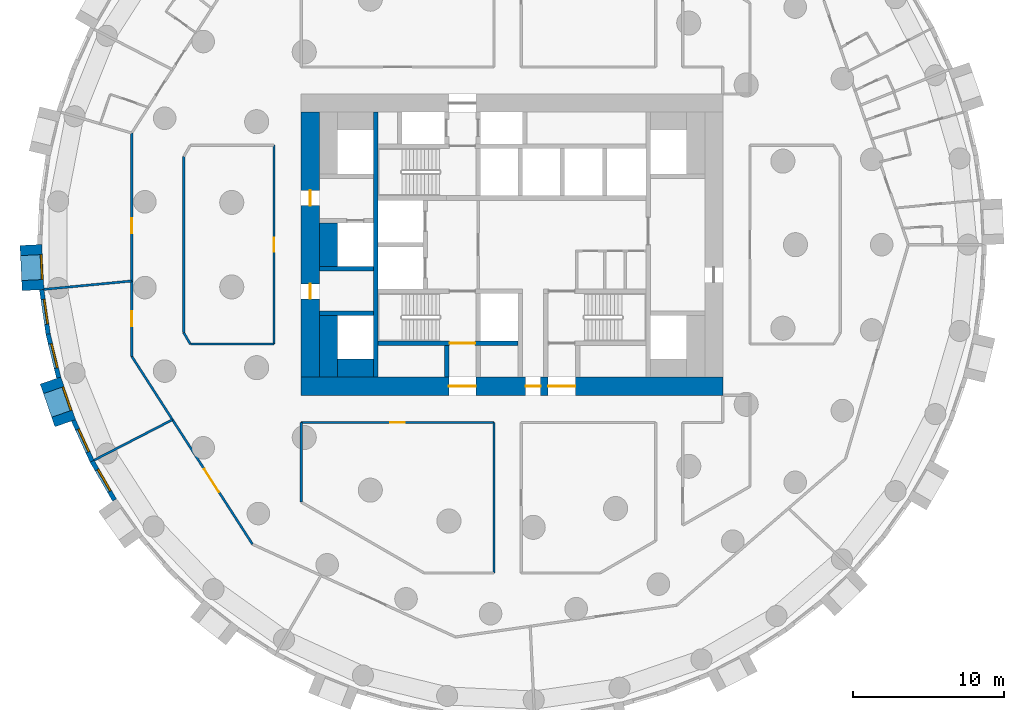
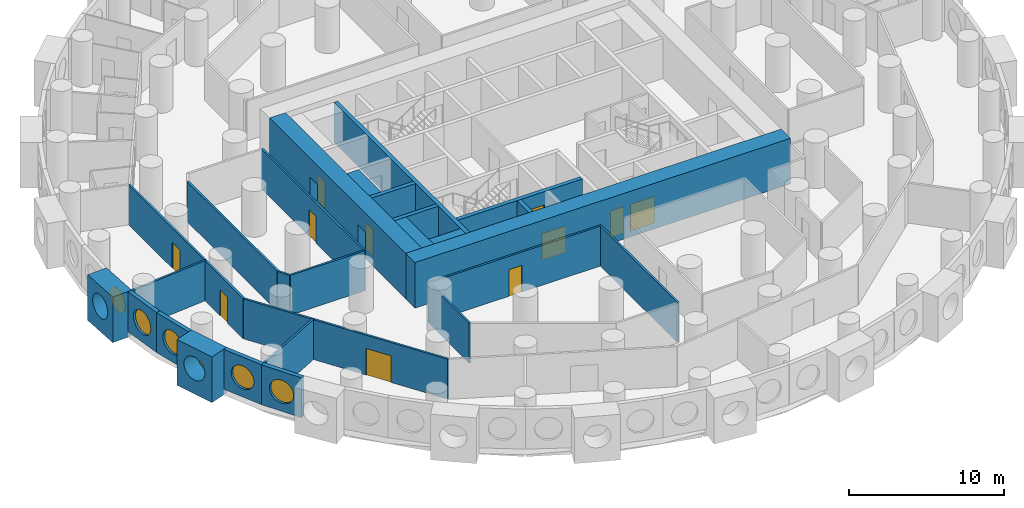
# One storey, part 3 of 12: 27 walls, 11 doors, 6 windows, 17 openings.
"""IFC4 building model written with IfcOpenShell, lengths in metres."""

from ifc_helpers import new_model, si_unit, direction, frame, frame_2d, origin, origin_2d, place, context, subcontext, project, spatial, rectangle, circle, extrude, material, layer, layer_set, type_object, element, fill, save


model = new_model("IFC4")

# Units and contexts
model_context = context("Model", 3, precision=1e-05, world=origin(), true_north=direction((0.0, 1.0)))
body_context = subcontext(model_context, "Body", "Model", "MODEL_VIEW")
ifc_project = project(units=[si_unit("LENGTHUNIT", "METRE"), si_unit("AREAUNIT", "SQUARE_METRE"), si_unit("VOLUMEUNIT", "CUBIC_METRE"), si_unit("PLANEANGLEUNIT", "RADIAN"), si_unit("MASSUNIT", "GRAM", prefix="KILO")], contexts=[model_context])

# Site, building, storey
site_placement = place(None, origin())
site = spatial("IfcSite", under=ifc_project, at=site_placement, CompositionType="ELEMENT")
building_placement = place(site_placement, origin())
building = spatial("IfcBuilding", under=site, at=building_placement, Name="Tracery Tower", CompositionType="ELEMENT")
storey_placement = place(building_placement, frame((0.0, 0.0, 39.0)))
storey = spatial("IfcBuildingStorey", under=building, at=storey_placement, Name="L08", CompositionType="ELEMENT", Elevation=39.0)

# Walls
ifc_material_1 = material(Name="Concrete C60/75", Category="concrete")
ifc_layer_1 = layer(ifc_material_1, 1.199951171875)
ifc_layer_set_1 = layer_set([ifc_layer_1], Name="Core strip wall 1200 C60")
wall_type_1 = type_object("IfcWallType", Name="Core strip wall 1200 C60", PredefinedType="SOLIDWALL", material=ifc_layer_set_1)
wall_1_placement = place(storey_placement, frame((-12.199951171875, -8.800048828125, 0.0), z_axis=(0.0, 0.0, 1.0), x_axis=(0.0, 1.0, 0.0)))
element("IfcWall", 1, at=wall_1_placement, inside=storey, type_object=wall_type_1, Name="L08 wing strip -1 -9.4", PredefinedType="SOLIDWALL", context=body_context, shape_type="SweptSolid", body=[
    extrude(rectangle(XDim=4.10009765625, YDim=1.199951171875, at=frame_2d((2.050048828125, 0.0))), origin(), (0.0, 0.0, 1.0), 3.14990234375),
])
wall_2_placement = place(storey_placement, frame((-12.199951171875, -1.449951171875, 0.0), z_axis=(0.0, 0.0, 1.0), x_axis=(0.0, 1.0, 0.0)))
element("IfcWall", 2, at=wall_2_placement, inside=storey, type_object=wall_type_1, Name="L08 wing strip -1 -1.6", PredefinedType="SOLIDWALL", context=body_context, shape_type="SweptSolid", body=[
    extrude(rectangle(XDim=2.89990234375, YDim=1.199951171875, at=frame_2d((1.449951171875, 0.0))), origin(), (0.0, 0.0, 1.0), 3.14990234375),
])
wall_3_placement = place(storey_placement, frame((-11.60009765625, -8.199951171875, 0.0), z_axis=(0.0, 0.0, 1.0), x_axis=(1.0, 0.0, 0.0)))
element("IfcWall", 3, at=wall_3_placement, inside=storey, type_object=wall_type_1, Name="L08 wing corner -1 -8.2", PredefinedType="SOLIDWALL", context=body_context, shape_type="SweptSolid", body=[
    extrude(rectangle(XDim=2.400146484375, YDim=1.199951171875, at=frame_2d((1.2001953125, 0.0))), origin(), (0.0, 0.0, 1.0), 3.14990234375),
])

# Wall, openings, doors
ifc_material_2 = material(Name="Concrete C60/75", Category="concrete")
ifc_layer_2 = layer(ifc_material_2, 1.199951171875)
ifc_layer_set_2 = layer_set([ifc_layer_2], Name="Core wall 1200 C60")
wall_type_2 = type_object("IfcWallType", Name="Core wall 1200 C60", PredefinedType="SOLIDWALL", material=ifc_layer_set_2)
wall_4_placement = place(storey_placement, frame((-14.0, -9.39990234375, 0.0), z_axis=(0.0, 0.0, 1.0), x_axis=(1.0, 0.0, 0.0)))
wall_4 = element("IfcWall", 4, at=wall_4_placement, inside=storey, type_object=wall_type_2, Name="L08 outer S", PredefinedType="SOLIDWALL", context=body_context, shape_type="SweptSolid", body=[
    extrude(rectangle(XDim=28.0, YDim=1.199951171875, at=frame_2d((14.0, 0.0))), origin(), (0.0, 0.0, 1.0), 3.60009765625),
])
opening_1_placement = place(wall_4_placement, frame((14.89990234375, 0.0, 0.0)))
opening_1 = element("IfcOpeningElement", 5, at=opening_1_placement, cuts=wall_4, Name="Opening KD16", PredefinedType="OPENING", context=body_context, shape_type="SweptSolid", body=[
    extrude(rectangle(XDim=1.0, YDim=2.10009765625, at=frame_2d((0.5, 1.050048828125))), frame((0.0, 0.60009765625, 0.0), z_axis=(0.0, -1.0, 0.0), x_axis=(1.0, 0.0, 0.0)), (0.0, 0.0, 1.0), 1.199951171875),
])
opening_2_placement = place(wall_4_placement, frame((9.800048828125, 0.0, 0.0)))
opening_2 = element("IfcOpeningElement", 6, at=opening_2_placement, cuts=wall_4, Name="Opening KD13", PredefinedType="OPENING", context=body_context, shape_type="SweptSolid", body=[
    extrude(rectangle(XDim=1.800048828125, YDim=2.10009765625, at=frame_2d((0.89990234375, 1.050048828125))), frame((0.0, 0.60009765625, 0.0), z_axis=(0.0, -1.0, 0.0), x_axis=(1.0, 0.0, 0.0)), (0.0, 0.0, 1.0), 1.199951171875),
])
opening_3_placement = place(wall_4_placement, frame((16.39990234375, 0.0, 0.0)))
opening_3 = element("IfcOpeningElement", 7, at=opening_3_placement, cuts=wall_4, Name="Opening KD13", PredefinedType="OPENING", context=body_context, shape_type="SweptSolid", body=[
    extrude(rectangle(XDim=1.800048828125, YDim=2.10009765625, at=frame_2d((0.89990234375, 1.050048828125))), frame((0.0, 0.60009765625, 0.0), z_axis=(0.0, -1.0, 0.0), x_axis=(1.0, 0.0, 0.0)), (0.0, 0.0, 1.0), 1.199951171875),
])
ifc_material_3 = material(Name="Steel fire door", Category="steel")
door_type_1 = type_object("IfcDoorType", Name="Core exit door 1000", OperationType="NOTDEFINED", PredefinedType="DOOR", material=ifc_material_3)
door_1_placement = place(opening_1_placement, origin())
door_1 = element("IfcDoor", 8, at=door_1_placement, inside=storey, type_object=door_type_1, Name="Core exit door", OperationType="SINGLE_SWING_LEFT", OverallHeight=2.10009765625, OverallWidth=1.0, PredefinedType="DOOR", context=body_context, shape_type="SweptSolid", body=[
    extrude(rectangle(XDim=1.0, YDim=2.10009765625, at=frame_2d((0.5, 1.050048828125))), frame((0.0, 0.02490234375, 0.0), z_axis=(0.0, -1.0, 0.0), x_axis=(1.0, 0.0, 0.0)), (0.0, 0.0, 1.0), 0.050048828125),
])
fill(opening_1, door_1)
ifc_material_4 = material(Name="Steel fire door", Category="steel")
door_type_2 = type_object("IfcDoorType", Name="Core exit door 1800 double", OperationType="NOTDEFINED", PredefinedType="DOOR", material=ifc_material_4)
door_2_placement = place(opening_2_placement, origin())
door_2 = element("IfcDoor", 9, at=door_2_placement, inside=storey, type_object=door_type_2, Name="Core exit door", OperationType="DOUBLE_DOOR_SINGLE_SWING", OverallHeight=2.10009765625, OverallWidth=1.800048828125, PredefinedType="DOOR", context=body_context, shape_type="SweptSolid", body=[
    extrude(rectangle(XDim=1.800048828125, YDim=2.10009765625, at=frame_2d((0.89990234375, 1.050048828125))), frame((0.0, 0.02490234375, 0.0), z_axis=(0.0, -1.0, 0.0), x_axis=(1.0, 0.0, 0.0)), (0.0, 0.0, 1.0), 0.050048828125),
])
fill(opening_2, door_2)
door_3_placement = place(opening_3_placement, origin())
door_3 = element("IfcDoor", 10, at=door_3_placement, inside=storey, type_object=door_type_2, Name="Core exit door", OperationType="DOUBLE_DOOR_SINGLE_SWING", OverallHeight=2.10009765625, OverallWidth=1.800048828125, PredefinedType="DOOR", context=body_context, shape_type="SweptSolid", body=[
    extrude(rectangle(XDim=1.800048828125, YDim=2.10009765625, at=frame_2d((0.89990234375, 1.050048828125))), frame((0.0, 0.02490234375, 0.0), z_axis=(0.0, -1.0, 0.0), x_axis=(1.0, 0.0, 0.0)), (0.0, 0.0, 1.0), 0.050048828125),
])
fill(opening_3, door_3)

wall_5_placement = place(storey_placement, frame((-13.39990234375, -8.800048828125, 0.0), z_axis=(0.0, 0.0, 1.0), x_axis=(0.0, 1.0, 0.0)))
wall_5 = element("IfcWall", 11, at=wall_5_placement, inside=storey, type_object=wall_type_2, Name="L08 outer W", PredefinedType="SOLIDWALL", context=body_context, shape_type="SweptSolid", body=[
    extrude(rectangle(XDim=17.60009765625, YDim=1.199951171875, at=frame_2d((8.800048828125, 0.0))), origin(), (0.0, 0.0, 1.0), 3.60009765625),
])
opening_4_placement = place(wall_5_placement, frame((5.199951171875, 0.0, 0.0)))
opening_4 = element("IfcOpeningElement", 12, at=opening_4_placement, cuts=wall_5, Name="Opening KD18", PredefinedType="OPENING", context=body_context, shape_type="SweptSolid", body=[
    extrude(rectangle(XDim=1.0, YDim=2.10009765625, at=frame_2d((0.5, 1.050048828125))), frame((0.0, 0.60009765625, 0.0), z_axis=(0.0, -1.0, 0.0), x_axis=(1.0, 0.0, 0.0)), (0.0, 0.0, 1.0), 1.199951171875),
])
opening_5_placement = place(wall_5_placement, frame((11.39990234375, 0.0, 0.0)))
opening_5 = element("IfcOpeningElement", 13, at=opening_5_placement, cuts=wall_5, Name="Opening KD18", PredefinedType="OPENING", context=body_context, shape_type="SweptSolid", body=[
    extrude(rectangle(XDim=1.0, YDim=2.10009765625, at=frame_2d((0.5, 1.050048828125))), frame((0.0, 0.60009765625, 0.0), z_axis=(0.0, -1.0, 0.0), x_axis=(1.0, 0.0, 0.0)), (0.0, 0.0, 1.0), 1.199951171875),
])
door_4_placement = place(opening_4_placement, origin())
door_4 = element("IfcDoor", 14, at=door_4_placement, inside=storey, type_object=door_type_1, Name="Core exit door", OperationType="DOUBLE_DOOR_SINGLE_SWING", OverallHeight=2.10009765625, OverallWidth=1.0, PredefinedType="DOOR", context=body_context, shape_type="SweptSolid", body=[
    extrude(rectangle(XDim=1.0, YDim=2.10009765625, at=frame_2d((0.5, 1.050048828125))), frame((0.0, 0.02490234375, 0.0), z_axis=(0.0, -1.0, 0.0), x_axis=(1.0, 0.0, 0.0)), (0.0, 0.0, 1.0), 0.050048828125),
])
fill(opening_4, door_4)
door_5_placement = place(opening_5_placement, origin())
door_5 = element("IfcDoor", 15, at=door_5_placement, inside=storey, type_object=door_type_1, Name="Core exit door", OperationType="DOUBLE_DOOR_SINGLE_SWING", OverallHeight=2.10009765625, OverallWidth=1.0, PredefinedType="DOOR", context=body_context, shape_type="SweptSolid", body=[
    extrude(rectangle(XDim=1.0, YDim=2.10009765625, at=frame_2d((0.5, 1.050048828125))), frame((0.0, 0.02490234375, 0.0), z_axis=(0.0, -1.0, 0.0), x_axis=(1.0, 0.0, 0.0)), (0.0, 0.0, 1.0), 0.050048828125),
])
fill(opening_5, door_5)

# Wall, opening, window
ifc_material_5 = material(Name="Precast concrete C50/60", Category="concrete")
ifc_layer_3 = layer(ifc_material_5, 1.449951171875)
ifc_layer_set_3 = layer_set([ifc_layer_3], Name="Deep-set bay unit 3000 x 3600, slab edge 450")
wall_type_3 = type_object("IfcWallType", Name="Deep-set bay unit 3000 x 3600, slab edge 450", PredefinedType="ELEMENTEDWALL", material=ifc_layer_set_3)
wall_6_placement = place(storey_placement, frame((-31.94921875, -0.020263671875, -0.449951171875), z_axis=(0.0, 0.0, 1.0), x_axis=(0.047607680889, -0.998866111509, 0.0)))
wall_6 = element("IfcWall", 16, at=wall_6_placement, inside=storey, type_object=wall_type_3, Name="Deep-set bay unit 34 at L08", PredefinedType="ELEMENTEDWALL", context=body_context, shape_type="SweptSolid", body=[
    extrude(rectangle(XDim=3.0, YDim=1.449951171875, at=frame_2d((1.5, 0.0))), origin(), (0.0, 0.0, 1.0), 3.599853515625),
])
opening_6_placement = place(wall_6_placement, frame((1.5, 0.0, 2.0)))
opening_6 = element("IfcOpeningElement", 17, at=opening_6_placement, cuts=wall_6, Name="Opening WN1", PredefinedType="OPENING", context=body_context, shape_type="SweptSolid", body=[
    extrude(circle(Radius=0.9000244140625, at=origin_2d()), frame((0.0, 0.73486328125, 0.0), z_axis=(0.0, -1.0, 0.0), x_axis=(1.0, 0.0, 0.0)), (0.0, 0.0, 1.0), 1.469970703125),
])
ifc_material_6 = material(Name="Aluminium frame with tinted double glazing", Category="aluminium")
window_type = type_object("IfcWindowType", Name="Round window 1800", PartitioningType="SINGLE_PANEL", PredefinedType="WINDOW", material=ifc_material_6)
window_1_placement = place(opening_6_placement, origin())
window_1 = element("IfcWindow", 18, at=window_1_placement, inside=storey, type_object=window_type, Name="Round window 34 at L08", OverallHeight=1.800048828125, OverallWidth=1.800048828125, PartitioningType="SINGLE_PANEL", PredefinedType="WINDOW", context=body_context, shape_type="SweptSolid", body=[
    extrude(circle(Radius=0.9000244140625, at=origin_2d()), frame((0.0, 0.69482421875, 0.0), z_axis=(0.0, -1.0, 0.0), x_axis=(1.0, 0.0, 0.0)), (0.0, 0.0, 1.0), 0.10009765625),
])
fill(opening_6, window_1)

wall_7_placement = place(storey_placement, frame((-30.649169921875, -9.0205078125, -0.449951171875), z_axis=(0.0, 0.0, 1.0), x_axis=(0.327071431777, -0.944999618262, 0.0)))
wall_7 = element("IfcWall", 19, at=wall_7_placement, inside=storey, type_object=wall_type_3, Name="Deep-set bay unit 37 at L08", PredefinedType="ELEMENTEDWALL", context=body_context, shape_type="SweptSolid", body=[
    extrude(rectangle(XDim=3.0, YDim=1.449951171875, at=frame_2d((1.5, 0.0))), origin(), (0.0, 0.0, 1.0), 3.599853515625),
])
opening_7_placement = place(wall_7_placement, frame((1.5, 0.0, 2.0)))
opening_7 = element("IfcOpeningElement", 20, at=opening_7_placement, cuts=wall_7, Name="Opening WN1", PredefinedType="OPENING", context=body_context, shape_type="SweptSolid", body=[
    extrude(circle(Radius=0.9000244140625, at=origin_2d()), frame((0.0, 0.73486328125, 0.0), z_axis=(0.0, -1.0, 0.0), x_axis=(1.0, 0.0, 0.0)), (0.0, 0.0, 1.0), 1.469970703125),
])
window_2_placement = place(opening_7_placement, origin())
window_2 = element("IfcWindow", 21, at=window_2_placement, inside=storey, type_object=window_type, Name="Round window 37 at L08", OverallHeight=1.800048828125, OverallWidth=1.800048828125, PartitioningType="SINGLE_PANEL", PredefinedType="WINDOW", context=body_context, shape_type="SweptSolid", body=[
    extrude(circle(Radius=0.9000244140625, at=origin_2d()), frame((0.0, 0.69482421875, 0.0), z_axis=(0.0, -1.0, 0.0), x_axis=(1.0, 0.0, 0.0)), (0.0, 0.0, 1.0), 0.10009765625),
])
fill(opening_7, window_2)

ifc_material_7 = material(Name="Precast concrete C50/60", Category="concrete")
ifc_layer_4 = layer(ifc_material_7, 0.300048828125)
ifc_layer_set_4 = layer_set([ifc_layer_4], Name="Facade panel 3000 x 3150")
wall_type_4 = type_object("IfcWallType", Name="Facade panel 3000 x 3150", PredefinedType="SOLIDWALL", material=ifc_layer_set_4)
wall_8_placement = place(storey_placement, frame((-31.2314453125, -2.98828125, 0.0), z_axis=(0.0, 0.0, 1.0), x_axis=(0.142315996627, -0.989821275334, 0.0)))
wall_8 = element("IfcWall", 22, at=wall_8_placement, inside=storey, type_object=wall_type_4, Name="Facade panel 35 at L08", PredefinedType="SOLIDWALL", context=body_context, shape_type="SweptSolid", body=[
    extrude(rectangle(XDim=2.979736328125, YDim=0.300048828125, at=frame_2d((1.48974609375, 0.0))), origin(), (0.0, 0.0, 1.0), 3.14990234375),
])
opening_8_placement = place(wall_8_placement, frame((1.48974609375, 0.0, 1.5498046875)))
opening_8 = element("IfcOpeningElement", 23, at=opening_8_placement, cuts=wall_8, Name="Opening WN1", PredefinedType="OPENING", context=body_context, shape_type="SweptSolid", body=[
    extrude(circle(Radius=0.9000244140625, at=origin_2d()), frame((0.0, 0.159912109375, 0.0), z_axis=(0.0, -1.0, 0.0), x_axis=(1.0, 0.0, 0.0)), (0.0, 0.0, 1.0), 0.320068359375),
])
window_3_placement = place(opening_8_placement, origin())
window_3 = element("IfcWindow", 24, at=window_3_placement, inside=storey, type_object=window_type, Name="Round window 35 at L08", OverallHeight=1.800048828125, OverallWidth=1.800048828125, PartitioningType="SINGLE_PANEL", PredefinedType="WINDOW", context=body_context, shape_type="SweptSolid", body=[
    extrude(circle(Radius=0.9000244140625, at=origin_2d()), frame((0.0, 0.1201171875, 0.0), z_axis=(0.0, -1.0, 0.0), x_axis=(1.0, 0.0, 0.0)), (0.0, 0.0, 1.0), 0.10009765625),
])
fill(opening_8, window_3)

wall_9_placement = place(storey_placement, frame((-30.807373046875, -5.937744140625, 0.0), z_axis=(0.0, 0.0, 1.0), x_axis=(0.235743081534, -0.971815414319, 0.0)))
wall_9 = element("IfcWall", 25, at=wall_9_placement, inside=storey, type_object=wall_type_4, Name="Facade panel 36 at L08", PredefinedType="SOLIDWALL", context=body_context, shape_type="SweptSolid", body=[
    extrude(rectangle(XDim=2.9794921875, YDim=0.300048828125, at=frame_2d((1.48974609375, 0.0))), origin(), (0.0, 0.0, 1.0), 3.14990234375),
])
opening_9_placement = place(wall_9_placement, frame((1.48974609375, 0.0, 1.5498046875)))
opening_9 = element("IfcOpeningElement", 26, at=opening_9_placement, cuts=wall_9, Name="Opening WN1", PredefinedType="OPENING", context=body_context, shape_type="SweptSolid", body=[
    extrude(circle(Radius=0.9000244140625, at=origin_2d()), frame((0.0, 0.159912109375, 0.0), z_axis=(0.0, -1.0, 0.0), x_axis=(1.0, 0.0, 0.0)), (0.0, 0.0, 1.0), 0.320068359375),
])
window_4_placement = place(opening_9_placement, origin())
window_4 = element("IfcWindow", 27, at=window_4_placement, inside=storey, type_object=window_type, Name="Round window 36 at L08", OverallHeight=1.800048828125, OverallWidth=1.800048828125, PartitioningType="SINGLE_PANEL", PredefinedType="WINDOW", context=body_context, shape_type="SweptSolid", body=[
    extrude(circle(Radius=0.9000244140625, at=origin_2d()), frame((0.0, 0.1201171875, 0.0), z_axis=(0.0, -1.0, 0.0), x_axis=(1.0, 0.0, 0.0)), (0.0, 0.0, 1.0), 0.10009765625),
])
fill(opening_9, window_4)

wall_10_placement = place(storey_placement, frame((-29.12451171875, -11.666259765625, 0.0), z_axis=(0.0, 0.0, 1.0), x_axis=(0.415407317162, -0.909635509888, 0.0)))
wall_10 = element("IfcWall", 28, at=wall_10_placement, inside=storey, type_object=wall_type_4, Name="Facade panel 38 at L08", PredefinedType="SOLIDWALL", context=body_context, shape_type="SweptSolid", body=[
    extrude(rectangle(XDim=2.979736328125, YDim=0.300048828125, at=frame_2d((1.48974609375, 0.0))), origin(), (0.0, 0.0, 1.0), 3.14990234375),
])
opening_10_placement = place(wall_10_placement, frame((1.48974609375, 0.0, 1.5498046875)))
opening_10 = element("IfcOpeningElement", 29, at=opening_10_placement, cuts=wall_10, Name="Opening WN1", PredefinedType="OPENING", context=body_context, shape_type="SweptSolid", body=[
    extrude(circle(Radius=0.9000244140625, at=origin_2d()), frame((0.0, 0.159912109375, 0.0), z_axis=(0.0, -1.0, 0.0), x_axis=(1.0, 0.0, 0.0)), (0.0, 0.0, 1.0), 0.320068359375),
])
window_5_placement = place(opening_10_placement, origin())
window_5 = element("IfcWindow", 30, at=window_5_placement, inside=storey, type_object=window_type, Name="Round window 38 at L08", OverallHeight=1.800048828125, OverallWidth=1.800048828125, PartitioningType="SINGLE_PANEL", PredefinedType="WINDOW", context=body_context, shape_type="SweptSolid", body=[
    extrude(circle(Radius=0.9000244140625, at=origin_2d()), frame((0.0, 0.1201171875, 0.0), z_axis=(0.0, -1.0, 0.0), x_axis=(1.0, 0.0, 0.0)), (0.0, 0.0, 1.0), 0.10009765625),
])
fill(opening_10, window_5)

wall_11_placement = place(storey_placement, frame((-27.88671875, -14.376708984375, 0.0), z_axis=(0.0, 0.0, 1.0), x_axis=(0.499999078476, -0.866025935826, 0.0)))
wall_11 = element("IfcWall", 31, at=wall_11_placement, inside=storey, type_object=wall_type_4, Name="Facade panel 39 at L08", PredefinedType="SOLIDWALL", context=body_context, shape_type="SweptSolid", body=[
    extrude(rectangle(XDim=2.9794921875, YDim=0.300048828125, at=frame_2d((1.48974609375, 0.0))), origin(), (0.0, 0.0, 1.0), 3.14990234375),
])
opening_11_placement = place(wall_11_placement, frame((1.48974609375, 0.0, 1.5498046875)))
opening_11 = element("IfcOpeningElement", 32, at=opening_11_placement, cuts=wall_11, Name="Opening WN1", PredefinedType="OPENING", context=body_context, shape_type="SweptSolid", body=[
    extrude(circle(Radius=0.9000244140625, at=origin_2d()), frame((0.0, 0.159912109375, 0.0), z_axis=(0.0, -1.0, 0.0), x_axis=(1.0, 0.0, 0.0)), (0.0, 0.0, 1.0), 0.320068359375),
])
window_6_placement = place(opening_11_placement, origin())
window_6 = element("IfcWindow", 33, at=window_6_placement, inside=storey, type_object=window_type, Name="Round window 39 at L08", OverallHeight=1.800048828125, OverallWidth=1.800048828125, PartitioningType="SINGLE_PANEL", PredefinedType="WINDOW", context=body_context, shape_type="SweptSolid", body=[
    extrude(circle(Radius=0.9000244140625, at=origin_2d()), frame((0.0, 0.1201171875, 0.0), z_axis=(0.0, -1.0, 0.0), x_axis=(1.0, 0.0, 0.0)), (0.0, 0.0, 1.0), 0.10009765625),
])
fill(opening_11, window_6)

# Walls
ifc_material_8 = material(Name="Plasterboard on steel studs", Category="steel")
ifc_layer_5 = layer(ifc_material_8, 0.14990234375)
ifc_layer_set_5 = layer_set([ifc_layer_5], Name="Partition 150 acoustic unit wall")
wall_type_5 = type_object("IfcWallType", Name="Partition 150 acoustic unit wall", PredefinedType="PARTITIONING", material=ifc_layer_set_5)
wall_12_placement = place(storey_placement, frame((-31.0830078125, -2.968017578125, 0.0), z_axis=(0.0, 0.0, 1.0), x_axis=(0.995465070325, 0.095127775983, 0.0)))
element("IfcWall", 34, at=wall_12_placement, inside=storey, type_object=wall_type_5, Name="Unit wall RA2-118", PredefinedType="PARTITIONING", context=body_context, shape_type="SweptSolid", body=[
    extrude(rectangle(XDim=5.856689453125, YDim=0.14990234375, at=frame_2d((2.92822265625, 0.0))), origin(), (0.0, 0.0, 1.0), 3.14990234375),
])
wall_13_placement = place(storey_placement, frame((-27.7529296875, -14.30810546875, 0.0), z_axis=(0.0, 0.0, 1.0), x_axis=(0.88877955153, 0.45833493079, 0.0)))
element("IfcWall", 35, at=wall_13_placement, inside=storey, type_object=wall_type_5, Name="Unit wall RA2-119", PredefinedType="PARTITIONING", context=body_context, shape_type="SweptSolid", body=[
    extrude(rectangle(XDim=5.856201171875, YDim=0.14990234375, at=frame_2d((2.92822265625, 0.0))), origin(), (0.0, 0.0, 1.0), 3.14990234375),
])

# Wall, opening, door
ifc_material_9 = material(Name="Plasterboard on steel studs", Category="steel")
ifc_layer_6 = layer(ifc_material_9, 0.14990234375)
ifc_layer_set_6 = layer_set([ifc_layer_6], Name="Partition 150 corridor wall")
wall_type_6 = type_object("IfcWallType", Name="Partition 150 corridor wall", PredefinedType="PARTITIONING", material=ifc_layer_set_6)
wall_14_placement = place(storey_placement, frame((-14.00390625, -11.800048828125, 0.0), z_axis=(0.0, 0.0, 1.0), x_axis=(1.0, 0.0, 0.0)))
wall_14 = element("IfcWall", 36, at=wall_14_placement, inside=storey, type_object=wall_type_6, Name="Corridor wall RA2-005", PredefinedType="PARTITIONING", context=body_context, shape_type="SweptSolid", body=[
    extrude(rectangle(XDim=12.81591796875, YDim=0.14990234375, at=frame_2d((6.407958984375, 0.0))), origin(), (0.0, 0.0, 1.0), 3.14990234375),
])
opening_12_placement = place(wall_14_placement, frame((5.93310546875, 0.0, 0.0)))
opening_12 = element("IfcOpeningElement", 37, at=opening_12_placement, cuts=wall_14, Name="Opening RA2-04", PredefinedType="OPENING", context=body_context, shape_type="SweptSolid", body=[
    extrude(rectangle(XDim=0.949951171875, YDim=2.10009765625, at=frame_2d((0.47509765625, 1.050048828125))), frame((0.0, 0.074951171875, 0.0), z_axis=(0.0, -1.0, 0.0), x_axis=(1.0, 0.0, 0.0)), (0.0, 0.0, 1.0), 0.14990234375),
])
ifc_material_10 = material(Name="Timber door leaf", Category="wood")
door_type_3 = type_object("IfcDoorType", Name="Door store 950", OperationType="NOTDEFINED", PredefinedType="DOOR", material=ifc_material_10)
door_6_placement = place(opening_12_placement, origin())
door_6 = element("IfcDoor", 38, at=door_6_placement, inside=storey, type_object=door_type_3, Name="Store door RA2-04", OperationType="SINGLE_SWING_RIGHT", OverallHeight=2.10009765625, OverallWidth=0.949951171875, PredefinedType="DOOR", context=body_context, shape_type="SweptSolid", body=[
    extrude(rectangle(XDim=0.949951171875, YDim=2.10009765625, at=frame_2d((0.47509765625, 1.050048828125))), frame((0.0, 0.02490234375, 0.0), z_axis=(0.0, -1.0, 0.0), x_axis=(1.0, 0.0, 0.0)), (0.0, 0.0, 1.0), 0.050048828125),
])
fill(opening_12, door_6)

wall_15_placement = place(storey_placement, frame((-15.800048828125, -6.60400390625, 0.0), z_axis=(0.0, 0.0, 1.0), x_axis=(0.0, 1.0, 0.0)))
wall_15 = element("IfcWall", 39, at=wall_15_placement, inside=storey, type_object=wall_type_6, Name="Corridor wall RA2-012", PredefinedType="PARTITIONING", context=body_context, shape_type="SweptSolid", body=[
    extrude(rectangle(XDim=13.2080078125, YDim=0.14990234375, at=frame_2d((6.60400390625, 0.0))), origin(), (0.0, 0.0, 1.0), 3.14990234375),
])
opening_13_placement = place(wall_15_placement, frame((6.12890625, 0.0, 0.0)))
opening_13 = element("IfcOpeningElement", 40, at=opening_13_placement, cuts=wall_15, Name="Opening RA2-08", PredefinedType="OPENING", context=body_context, shape_type="SweptSolid", body=[
    extrude(rectangle(XDim=0.949951171875, YDim=2.10009765625, at=frame_2d((0.47509765625, 1.050048828125))), frame((0.0, 0.074951171875, 0.0), z_axis=(0.0, -1.0, 0.0), x_axis=(1.0, 0.0, 0.0)), (0.0, 0.0, 1.0), 0.14990234375),
])
door_7_placement = place(opening_13_placement, origin())
door_7 = element("IfcDoor", 41, at=door_7_placement, inside=storey, type_object=door_type_3, Name="Store door RA2-08", OperationType="SINGLE_SWING_LEFT", OverallHeight=2.10009765625, OverallWidth=0.949951171875, PredefinedType="DOOR", context=body_context, shape_type="SweptSolid", body=[
    extrude(rectangle(XDim=0.949951171875, YDim=2.10009765625, at=frame_2d((0.47509765625, 1.050048828125))), frame((0.0, 0.02490234375, 0.0), z_axis=(0.0, -1.0, 0.0), x_axis=(1.0, 0.0, 0.0)), (0.0, 0.0, 1.0), 0.050048828125),
])
fill(opening_13, door_7)

# Walls
wall_16_placement = place(storey_placement, frame((-14.0, -17.092041015625, 0.0), z_axis=(0.0, 0.0, 1.0), x_axis=(0.0, 1.0, 0.0)))
element("IfcWall", 42, at=wall_16_placement, inside=storey, type_object=wall_type_6, Name="Corridor wall RA2-038", PredefinedType="PARTITIONING", context=body_context, shape_type="SweptSolid", body=[
    extrude(rectangle(XDim=5.2919921875, YDim=0.14990234375, at=frame_2d((2.64599609375, 0.0))), origin(), (0.0, 0.0, 1.0), 3.14990234375),
])
wall_17_placement = place(storey_placement, frame((-21.802001953125, -5.842041015625, 0.0), z_axis=(0.0, 0.0, 1.0), x_axis=(0.0, 1.0, 0.0)))
element("IfcWall", 43, at=wall_17_placement, inside=storey, type_object=wall_type_6, Name="Corridor wall RA2-041", PredefinedType="PARTITIONING", context=body_context, shape_type="SweptSolid", body=[
    extrude(rectangle(XDim=11.68408203125, YDim=0.14990234375, at=frame_2d((5.842041015625, 0.0))), origin(), (0.0, 0.0, 1.0), 3.14990234375),
])
wall_18_placement = place(storey_placement, frame((-21.802001953125, -5.842041015625, 0.0), z_axis=(0.0, 0.0, 1.0), x_axis=(0.500277597875, -0.865865073245, 0.0)))
element("IfcWall", 44, at=wall_18_placement, inside=storey, type_object=wall_type_6, Name="Corridor wall RA2-042", PredefinedType="PARTITIONING", context=body_context, shape_type="SweptSolid", body=[
    extrude(rectangle(XDim=0.87548828125, YDim=0.14990234375, at=frame_2d((0.437744140625, 0.0))), origin(), (0.0, 0.0, 1.0), 3.14990234375),
])
wall_19_placement = place(storey_placement, frame((-21.364013671875, -6.60009765625, 0.0), z_axis=(0.0, 0.0, 1.0), x_axis=(1.0, 0.0, 0.0)))
element("IfcWall", 45, at=wall_19_placement, inside=storey, type_object=wall_type_6, Name="Corridor wall RA2-043", PredefinedType="PARTITIONING", context=body_context, shape_type="SweptSolid", body=[
    extrude(rectangle(XDim=5.56396484375, YDim=0.14990234375, at=frame_2d((2.781982421875, 0.0))), origin(), (0.0, 0.0, 1.0), 3.14990234375),
])

# Wall, openings, doors
wall_20_placement = place(storey_placement, frame((-25.2529296875, -7.4150390625, 0.0), z_axis=(0.0, 0.0, 1.0), x_axis=(0.0, 1.0, 0.0)))
wall_20 = element("IfcWall", 46, at=wall_20_placement, inside=storey, type_object=wall_type_6, Name="Corridor wall RA2-044", PredefinedType="PARTITIONING", context=body_context, shape_type="SweptSolid", body=[
    extrude(rectangle(XDim=14.830078125, YDim=0.14990234375, at=frame_2d((7.4150390625, 0.0))), origin(), (0.0, 0.0, 1.0), 3.14990234375),
])
opening_14_placement = place(wall_20_placement, frame((8.1650390625, 0.0, 0.0)))
opening_14 = element("IfcOpeningElement", 47, at=opening_14_placement, cuts=wall_20, Name="Opening RA2-45", PredefinedType="OPENING", context=body_context, shape_type="SweptSolid", body=[
    extrude(rectangle(XDim=1.0, YDim=2.0400390625, at=frame_2d((0.5, 1.02001953125))), frame((0.0, 0.074951171875, 0.0), z_axis=(0.0, -1.0, 0.0), x_axis=(1.0, 0.0, 0.0)), (0.0, 0.0, 1.0), 0.14990234375),
])
opening_15_placement = place(wall_20_placement, frame((2.00390625, 0.0, 0.0)))
opening_15 = element("IfcOpeningElement", 48, at=opening_15_placement, cuts=wall_20, Name="Opening RA2-46", PredefinedType="OPENING", context=body_context, shape_type="SweptSolid", body=[
    extrude(rectangle(XDim=1.0, YDim=2.0400390625, at=frame_2d((0.5, 1.02001953125))), frame((0.0, 0.074951171875, 0.0), z_axis=(0.0, -1.0, 0.0), x_axis=(1.0, 0.0, 0.0)), (0.0, 0.0, 1.0), 0.14990234375),
])
ifc_material_11 = material(Name="Timber door leaf", Category="wood")
door_type_4 = type_object("IfcDoorType", Name="Door communal room 1000", OperationType="NOTDEFINED", PredefinedType="DOOR", material=ifc_material_11)
door_8_placement = place(opening_14_placement, origin())
door_8 = element("IfcDoor", 49, at=door_8_placement, inside=storey, type_object=door_type_4, Name="Communal room door RA2-45", OperationType="SINGLE_SWING_LEFT", OverallHeight=2.0400390625, OverallWidth=1.0, PredefinedType="DOOR", context=body_context, shape_type="SweptSolid", body=[
    extrude(rectangle(XDim=1.0, YDim=2.0400390625, at=frame_2d((0.5, 1.02001953125))), frame((0.0, 0.02490234375, 0.0), z_axis=(0.0, -1.0, 0.0), x_axis=(1.0, 0.0, 0.0)), (0.0, 0.0, 1.0), 0.050048828125),
])
fill(opening_14, door_8)
door_9_placement = place(opening_15_placement, origin())
door_9 = element("IfcDoor", 50, at=door_9_placement, inside=storey, type_object=door_type_4, Name="Communal room door RA2-46", OperationType="SINGLE_SWING_RIGHT", OverallHeight=2.0400390625, OverallWidth=1.0, PredefinedType="DOOR", context=body_context, shape_type="SweptSolid", body=[
    extrude(rectangle(XDim=1.0, YDim=2.0400390625, at=frame_2d((0.5, 1.02001953125))), frame((0.0, 0.02490234375, 0.0), z_axis=(0.0, -1.0, 0.0), x_axis=(1.0, 0.0, 0.0)), (0.0, 0.0, 1.0), 0.050048828125),
])
fill(opening_15, door_9)

# Wall, opening, door
wall_21_placement = place(storey_placement, frame((-25.2529296875, -7.4150390625, 0.0), z_axis=(0.0, 0.0, 1.0), x_axis=(0.540656073354, -0.841243728265, 0.0)))
wall_21 = element("IfcWall", 51, at=wall_21_placement, inside=storey, type_object=wall_type_6, Name="Corridor wall RA2-045", PredefinedType="PARTITIONING", context=body_context, shape_type="SweptSolid", body=[
    extrude(rectangle(XDim=14.829345703125, YDim=0.14990234375, at=frame_2d((7.41455078125, 0.0))), origin(), (0.0, 0.0, 1.0), 3.14990234375),
])
opening_16_placement = place(wall_21_placement, frame((8.9033203125, 0.0, 0.0)))
opening_16 = element("IfcOpeningElement", 52, at=opening_16_placement, cuts=wall_21, Name="Opening RA2-47", PredefinedType="OPENING", context=body_context, shape_type="SweptSolid", body=[
    extrude(rectangle(XDim=1.800048828125, YDim=2.10009765625, at=frame_2d((0.89990234375, 1.050048828125))), frame((0.0, 0.074951171875, 0.0), z_axis=(0.0, -1.0, 0.0), x_axis=(1.0, 0.0, 0.0)), (0.0, 0.0, 1.0), 0.14990234375),
])
ifc_material_12 = material(Name="Timber door leaf", Category="wood")
door_type_5 = type_object("IfcDoorType", Name="Door double lounge 1800", OperationType="NOTDEFINED", PredefinedType="DOOR", material=ifc_material_12)
door_10_placement = place(opening_16_placement, origin())
door_10 = element("IfcDoor", 53, at=door_10_placement, inside=storey, type_object=door_type_5, Name="Double lounge door RA2-47", OperationType="DOUBLE_DOOR_SINGLE_SWING", OverallHeight=2.10009765625, OverallWidth=1.800048828125, PredefinedType="DOOR", context=body_context, shape_type="SweptSolid", body=[
    extrude(rectangle(XDim=1.800048828125, YDim=2.10009765625, at=frame_2d((0.89990234375, 1.050048828125))), frame((0.0, 0.02490234375, 0.0), z_axis=(0.0, -1.0, 0.0), x_axis=(1.0, 0.0, 0.0)), (0.0, 0.0, 1.0), 0.050048828125),
])
fill(opening_16, door_10)

# Walls
wall_22_placement = place(storey_placement, frame((-1.19189453125, -21.802001953125, 0.0), z_axis=(0.0, 0.0, 1.0), x_axis=(0.0, 1.0, 0.0)))
element("IfcWall", 54, at=wall_22_placement, inside=storey, type_object=wall_type_6, Name="Corridor wall RA2-048", PredefinedType="PARTITIONING", context=body_context, shape_type="SweptSolid", body=[
    extrude(rectangle(XDim=10.001953125, YDim=0.14990234375, at=frame_2d((5.0009765625, 0.0))), origin(), (0.0, 0.0, 1.0), 3.14990234375),
])
ifc_material_13 = material(Name="Concrete C60/75", Category="concrete")
ifc_layer_7 = layer(ifc_material_13, 0.300048828125)
ifc_layer_set_7 = layer_set([ifc_layer_7], Name="Shaft wall 300 C60")
wall_type_7 = type_object("IfcWallType", Name="Shaft wall 300 C60", PredefinedType="SOLIDWALL", material=ifc_layer_set_7)
wall_23_placement = place(storey_placement, frame((-4.35009765625, -8.800048828125, 0.0), z_axis=(0.0, 0.0, 1.0), x_axis=(0.0, 1.0, 0.0)))
element("IfcWall", 55, at=wall_23_placement, inside=storey, type_object=wall_type_7, Name="L08 band S -4.35", PredefinedType="SOLIDWALL", context=body_context, shape_type="SweptSolid", body=[
    extrude(rectangle(XDim=2.10009765625, YDim=0.300048828125, at=frame_2d((1.050048828125, 0.0))), origin(), (0.0, 0.0, 1.0), 3.14990234375),
])
for number, where, z_axis, x_axis, name in (
    (56, (-12.800048828125, -4.550048828125, 0.0), (0.0, 0.0, 1.0), (1.0, 0.0, 0.0), "L08 wing shaft wall -1 -4.55"),
    (57, (-12.800048828125, -1.60009765625, 0.0), (0.0, 0.0, 1.0), (1.0, 0.0, 0.0), "L08 wing shaft wall -1 -1.60"),
):
    element("IfcWall", number, at=place(storey_placement, frame(where, z_axis=z_axis, x_axis=x_axis)), inside=storey, type_object=wall_type_7, Name=name, PredefinedType="SOLIDWALL", context=body_context, shape_type="SweptSolid", body=[
        extrude(rectangle(XDim=3.60009765625, YDim=0.300048828125, at=frame_2d((1.800048828125, 0.0))), origin(), (0.0, 0.0, 1.0), 3.14990234375),
    ])
ifc_material_14 = material(Name="Concrete C60/75", Category="concrete")
ifc_layer_8 = layer(ifc_material_14, 0.300048828125)
ifc_layer_set_8 = layer_set([ifc_layer_8], Name="Stair wall 300 C60")
wall_type_8 = type_object("IfcWallType", Name="Stair wall 300 C60", PredefinedType="SOLIDWALL", material=ifc_layer_set_8)
wall_24_placement = place(storey_placement, frame((-9.050048828125, -8.800048828125, 0.0), z_axis=(0.0, 0.0, 1.0), x_axis=(0.0, 1.0, 0.0)))
element("IfcWall", 58, at=wall_24_placement, inside=storey, type_object=wall_type_8, Name="L08 F wall -9", PredefinedType="SOLIDWALL", context=body_context, shape_type="SweptSolid", body=[
    extrude(rectangle(XDim=17.60009765625, YDim=0.300048828125, at=frame_2d((8.800048828125, 0.0))), origin(), (0.0, 0.0, 1.0), 3.14990234375),
])

# Wall, opening, door
wall_25_placement = place(storey_placement, frame((-8.89990234375, -6.550048828125, 0.0), z_axis=(0.0, 0.0, 1.0), x_axis=(1.0, 0.0, 0.0)))
wall_25 = element("IfcWall", 59, at=wall_25_placement, inside=storey, type_object=wall_type_8, Name="L08 F S W", PredefinedType="SOLIDWALL", context=body_context, shape_type="SweptSolid", body=[
    extrude(rectangle(XDim=9.2998046875, YDim=0.300048828125, at=frame_2d((4.64990234375, 0.0))), origin(), (0.0, 0.0, 1.0), 3.14990234375),
])
opening_17_placement = place(wall_25_placement, frame((4.75, 0.0, 0.0)))
opening_17 = element("IfcOpeningElement", 60, at=opening_17_placement, cuts=wall_25, Name="Opening KD3", PredefinedType="OPENING", context=body_context, shape_type="SweptSolid", body=[
    extrude(rectangle(XDim=1.699951171875, YDim=2.10009765625, at=frame_2d((0.85009765625, 1.050048828125))), frame((0.0, 0.14990234375, 0.0), z_axis=(0.0, -1.0, 0.0), x_axis=(1.0, 0.0, 0.0)), (0.0, 0.0, 1.0), 0.300048828125),
])
ifc_material_15 = material(Name="Steel fire door", Category="steel")
door_type_6 = type_object("IfcDoorType", Name="Core stair door 1700 double", OperationType="NOTDEFINED", PredefinedType="DOOR", material=ifc_material_15)
door_11_placement = place(opening_17_placement, origin())
door_11 = element("IfcDoor", 61, at=door_11_placement, inside=storey, type_object=door_type_6, Name="Stair door ST1 S", OperationType="DOUBLE_DOOR_SINGLE_SWING", OverallHeight=2.10009765625, OverallWidth=1.699951171875, PredefinedType="DOOR", context=body_context, shape_type="SweptSolid", body=[
    extrude(rectangle(XDim=1.699951171875, YDim=2.10009765625, at=frame_2d((0.85009765625, 1.050048828125))), frame((0.0, 0.02490234375, 0.0), z_axis=(0.0, -1.0, 0.0), x_axis=(1.0, 0.0, 0.0)), (0.0, 0.0, 1.0), 0.050048828125),
])
fill(opening_17, door_11)

save(model, "model.ifc")
